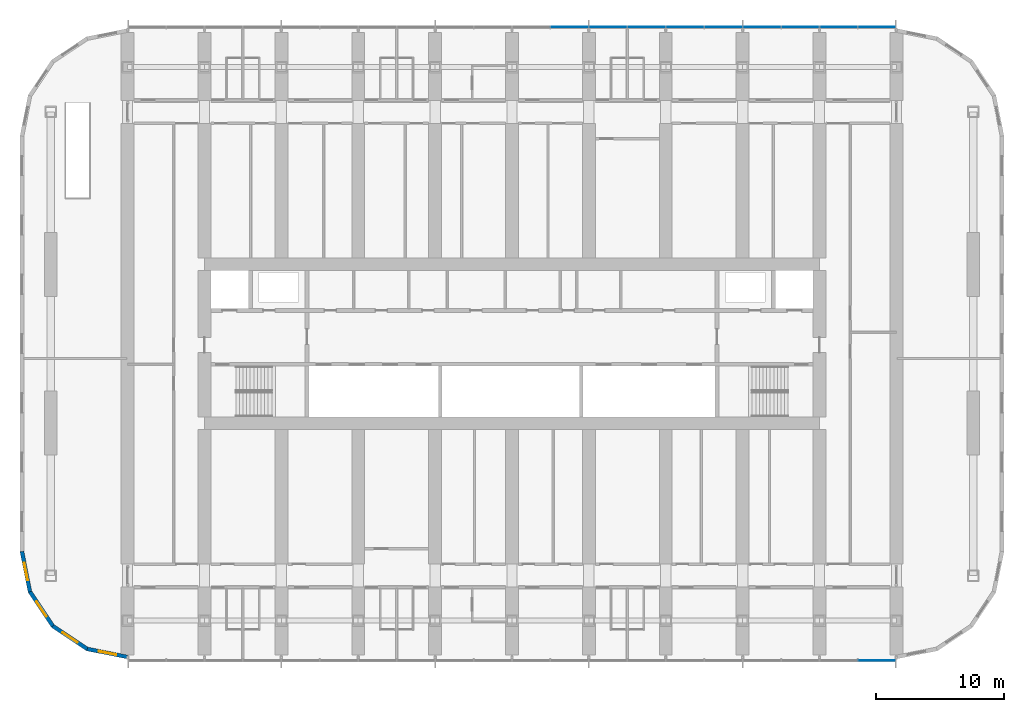
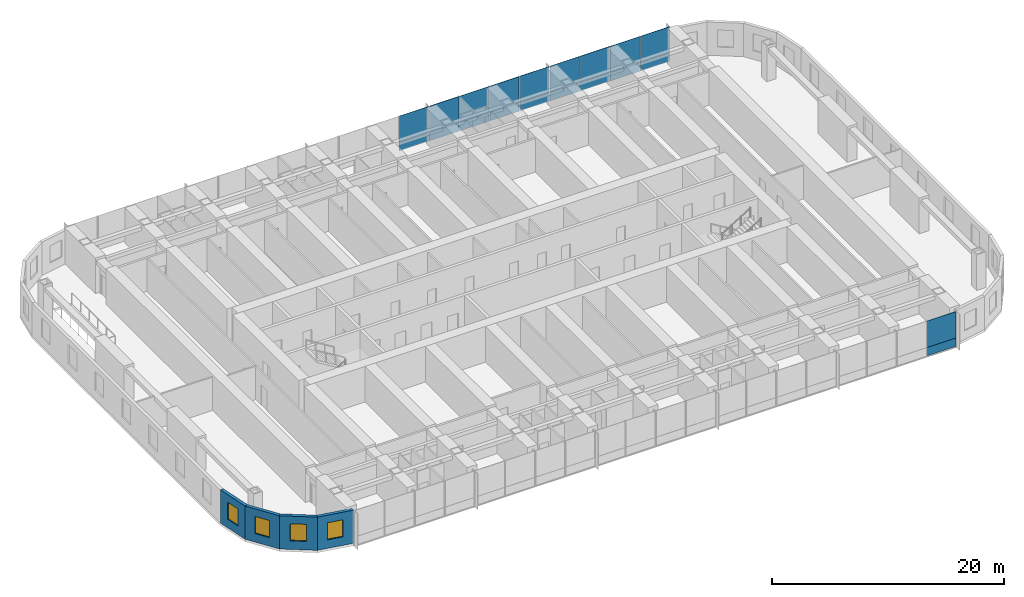
# One storey, part 9 of 22: 20 plates, 4 walls, 4 windows, 4 openings, 2 elements without a shape of their own.
"""IFC4 building model written with IfcOpenShell, lengths in metres."""

from ifc_helpers import new_model, si_unit, direction, frame, frame_2d, origin, origin_2d, place, context, subcontext, project, spatial, polyline, rectangle, outline, extrude, material, layer, layer_set, type_object, element, fill, aggregate, save


model = new_model("IFC4")

# Units and contexts
model_context = context("Model", 3, precision=1e-05, world=origin(), true_north=direction((0.0, 1.0)))
body_context = subcontext(model_context, "Body", "Model", "MODEL_VIEW")
ifc_project = project(units=[si_unit("LENGTHUNIT", "METRE"), si_unit("AREAUNIT", "SQUARE_METRE"), si_unit("VOLUMEUNIT", "CUBIC_METRE"), si_unit("PLANEANGLEUNIT", "RADIAN"), si_unit("MASSUNIT", "GRAM", prefix="KILO")], contexts=[model_context])

# Site, building, storey
site_placement = place(None, origin())
site = spatial("IfcSite", under=ifc_project, at=site_placement, CompositionType="ELEMENT")
building_placement = place(site_placement, origin())
building = spatial("IfcBuilding", under=site, at=building_placement, Name="Orbita Commons", CompositionType="ELEMENT")
storey_placement = place(building_placement, frame((0.0, 0.0, 57.699951171875)))
storey = spatial("IfcBuildingStorey", under=building, at=storey_placement, Name="L14", CompositionType="ELEMENT", Elevation=57.699951171875)

# Curtain wall, plate
ifc_material_1 = material(Name="Anodised aluminium frame, pale silver", Category="aluminium")
curtain_wall_type = type_object("IfcCurtainWallType", Name="Unitised curtain wall CW-T, vision and spandrel", PredefinedType="NOTDEFINED", material=ifc_material_1)
curtain_wall_1_placement = place(storey_placement, origin())
curtain_wall_1 = element("IfcCurtainWall", 1, at=curtain_wall_1_placement, inside=storey, type_object=curtain_wall_type, Name="Curtain wall south L14", PredefinedType="NOTDEFINED")
ifc_material_2 = material(Name="Anodised aluminium sheet on mineral wool", Category="aluminium")
ifc_layer_1 = layer(ifc_material_2, 0.050048828125)
ifc_layer_set_1 = layer_set([ifc_layer_1], Name="Anodised aluminium sheet on mineral wool")
plate_type_1 = type_object("IfcPlateType", Name="Spandrel panel, pale aluminium over insulation 50", PredefinedType="CURTAIN_PANEL", material=ifc_layer_set_1)
plate_1_placement = place(storey_placement, frame((70.47998046875, 7.2900390625, -0.14990234375), z_axis=(0.0, 0.0, 1.0), x_axis=(1.0, 0.0, 0.0)))
plate_1 = element("IfcPlate", 2, at=plate_1_placement, type_object=plate_type_1, Name="Panel 20.1 CW-L14-S", PredefinedType="CURTAIN_PANEL", context=body_context, shape_type="SweptSolid", body=[
    extrude(rectangle(XDim=2.8798828125, YDim=0.050048828125, at=origin_2d()), origin(), (0.0, 0.0, 1.0), 0.875),
])

# Curtain wall, plates
curtain_wall_2_placement = place(storey_placement, origin())
curtain_wall_2 = element("IfcCurtainWall", 3, at=curtain_wall_2_placement, inside=storey, type_object=curtain_wall_type, Name="Curtain wall north L14", PredefinedType="NOTDEFINED")
plate_2_placement = place(storey_placement, frame((70.47998046875, 56.7099609375, -0.14990234375), z_axis=(0.0, 0.0, 1.0), x_axis=(-1.0, 0.0, 0.0)))
plate_2 = element("IfcPlate", 4, at=plate_2_placement, type_object=plate_type_1, Name="Panel 1.1 CW-L14-N", PredefinedType="CURTAIN_PANEL", context=body_context, shape_type="SweptSolid", body=[
    extrude(rectangle(XDim=2.8798828125, YDim=0.050048828125, at=origin_2d()), origin(), (0.0, 0.0, 1.0), 0.875),
])
plate_3_placement = place(storey_placement, frame((67.5, 56.7099609375, -0.14990234375), z_axis=(0.0, 0.0, 1.0), x_axis=(-1.0, 0.0, 0.0)))
plate_3 = element("IfcPlate", 5, at=plate_3_placement, type_object=plate_type_1, Name="Panel 2.1 CW-L14-N", PredefinedType="CURTAIN_PANEL", context=body_context, shape_type="SweptSolid", body=[
    extrude(rectangle(XDim=2.919921875, YDim=0.050048828125, at=origin_2d()), origin(), (0.0, 0.0, 1.0), 0.875),
])
plate_4_placement = place(storey_placement, frame((64.5, 56.7099609375, -0.14990234375), z_axis=(0.0, 0.0, 1.0), x_axis=(-1.0, 0.0, 0.0)))
plate_4 = element("IfcPlate", 6, at=plate_4_placement, type_object=plate_type_1, Name="Panel 3.1 CW-L14-N", PredefinedType="CURTAIN_PANEL", context=body_context, shape_type="SweptSolid", body=[
    extrude(rectangle(XDim=2.919921875, YDim=0.050048828125, at=origin_2d()), origin(), (0.0, 0.0, 1.0), 0.875),
])
plate_5_placement = place(storey_placement, frame((61.5, 56.7099609375, -0.14990234375), z_axis=(0.0, 0.0, 1.0), x_axis=(-1.0, 0.0, 0.0)))
plate_5 = element("IfcPlate", 7, at=plate_5_placement, type_object=plate_type_1, Name="Panel 4.1 CW-L14-N", PredefinedType="CURTAIN_PANEL", context=body_context, shape_type="SweptSolid", body=[
    extrude(rectangle(XDim=2.919921875, YDim=0.050048828125, at=origin_2d()), origin(), (0.0, 0.0, 1.0), 0.875),
])
plate_6_placement = place(storey_placement, frame((58.5, 56.7099609375, -0.14990234375), z_axis=(0.0, 0.0, 1.0), x_axis=(-1.0, 0.0, 0.0)))
plate_6 = element("IfcPlate", 8, at=plate_6_placement, type_object=plate_type_1, Name="Panel 5.1 CW-L14-N", PredefinedType="CURTAIN_PANEL", context=body_context, shape_type="SweptSolid", body=[
    extrude(rectangle(XDim=2.919921875, YDim=0.050048828125, at=origin_2d()), origin(), (0.0, 0.0, 1.0), 0.875),
])
plate_7_placement = place(storey_placement, frame((55.5, 56.7099609375, -0.14990234375), z_axis=(0.0, 0.0, 1.0), x_axis=(-1.0, 0.0, 0.0)))
plate_7 = element("IfcPlate", 9, at=plate_7_placement, type_object=plate_type_1, Name="Panel 6.1 CW-L14-N", PredefinedType="CURTAIN_PANEL", context=body_context, shape_type="SweptSolid", body=[
    extrude(rectangle(XDim=2.919921875, YDim=0.050048828125, at=origin_2d()), origin(), (0.0, 0.0, 1.0), 0.875),
])
plate_8_placement = place(storey_placement, frame((52.5, 56.7099609375, -0.14990234375), z_axis=(0.0, 0.0, 1.0), x_axis=(-1.0, 0.0, 0.0)))
plate_8 = element("IfcPlate", 10, at=plate_8_placement, type_object=plate_type_1, Name="Panel 7.1 CW-L14-N", PredefinedType="CURTAIN_PANEL", context=body_context, shape_type="SweptSolid", body=[
    extrude(rectangle(XDim=2.919921875, YDim=0.050048828125, at=origin_2d()), origin(), (0.0, 0.0, 1.0), 0.875),
])
plate_9_placement = place(storey_placement, frame((49.5, 56.7099609375, -0.14990234375), z_axis=(0.0, 0.0, 1.0), x_axis=(-1.0, 0.0, 0.0)))
plate_9 = element("IfcPlate", 11, at=plate_9_placement, type_object=plate_type_1, Name="Panel 8.1 CW-L14-N", PredefinedType="CURTAIN_PANEL", context=body_context, shape_type="SweptSolid", body=[
    extrude(rectangle(XDim=2.919921875, YDim=0.050048828125, at=origin_2d()), origin(), (0.0, 0.0, 1.0), 0.875),
])
plate_10_placement = place(storey_placement, frame((46.5, 56.7099609375, -0.14990234375), z_axis=(0.0, 0.0, 1.0), x_axis=(-1.0, 0.0, 0.0)))
plate_10 = element("IfcPlate", 12, at=plate_10_placement, type_object=plate_type_1, Name="Panel 9.1 CW-L14-N", PredefinedType="CURTAIN_PANEL", context=body_context, shape_type="SweptSolid", body=[
    extrude(rectangle(XDim=2.919921875, YDim=0.050048828125, at=origin_2d()), origin(), (0.0, 0.0, 1.0), 0.875),
])

# Plate
ifc_material_3 = material(Name="Clear double glazing", Category="glass")
ifc_layer_2 = layer(ifc_material_3, 0.031982421875)
ifc_layer_set_2 = layer_set([ifc_layer_2], Name="Clear double glazing")
plate_type_2 = type_object("IfcPlateType", Name="Vision panel, clear double glazing 32", PredefinedType="CURTAIN_PANEL", material=ifc_layer_set_2)
plate_11_placement = place(storey_placement, frame((70.47998046875, 7.2900390625, 0.72509765625), z_axis=(0.0, 0.0, 1.0), x_axis=(1.0, 0.0, 0.0)))
plate_11 = element("IfcPlate", 13, at=plate_11_placement, type_object=plate_type_2, Name="Panel 20.2 CW-L14-S", PredefinedType="CURTAIN_PANEL", context=body_context, shape_type="SweptSolid", body=[
    extrude(rectangle(XDim=2.8798828125, YDim=0.031982421875, at=origin_2d()), origin(), (0.0, 0.0, 1.0), 2.77490234375),
])

aggregate(curtain_wall_1, [plate_1, plate_11])

plate_12_placement = place(storey_placement, frame((70.47998046875, 56.7099609375, 0.72509765625), z_axis=(0.0, 0.0, 1.0), x_axis=(-1.0, 0.0, 0.0)))
plate_12 = element("IfcPlate", 14, at=plate_12_placement, type_object=plate_type_2, Name="Panel 1.2 CW-L14-N", PredefinedType="CURTAIN_PANEL", context=body_context, shape_type="SweptSolid", body=[
    extrude(rectangle(XDim=2.8798828125, YDim=0.031982421875, at=origin_2d()), origin(), (0.0, 0.0, 1.0), 2.77490234375),
])

plate_13_placement = place(storey_placement, frame((67.5, 56.7099609375, 0.72509765625), z_axis=(0.0, 0.0, 1.0), x_axis=(-1.0, 0.0, 0.0)))
plate_13 = element("IfcPlate", 15, at=plate_13_placement, type_object=plate_type_2, Name="Panel 2.2 CW-L14-N", PredefinedType="CURTAIN_PANEL", context=body_context, shape_type="SweptSolid", body=[
    extrude(rectangle(XDim=2.919921875, YDim=0.031982421875, at=origin_2d()), origin(), (0.0, 0.0, 1.0), 2.77490234375),
])

plate_14_placement = place(storey_placement, frame((64.5, 56.7099609375, 0.72509765625), z_axis=(0.0, 0.0, 1.0), x_axis=(-1.0, 0.0, 0.0)))
plate_14 = element("IfcPlate", 16, at=plate_14_placement, type_object=plate_type_2, Name="Panel 3.2 CW-L14-N", PredefinedType="CURTAIN_PANEL", context=body_context, shape_type="SweptSolid", body=[
    extrude(rectangle(XDim=2.919921875, YDim=0.031982421875, at=origin_2d()), origin(), (0.0, 0.0, 1.0), 2.77490234375),
])

plate_15_placement = place(storey_placement, frame((61.5, 56.7099609375, 0.72509765625), z_axis=(0.0, 0.0, 1.0), x_axis=(-1.0, 0.0, 0.0)))
plate_15 = element("IfcPlate", 17, at=plate_15_placement, type_object=plate_type_2, Name="Panel 4.2 CW-L14-N", PredefinedType="CURTAIN_PANEL", context=body_context, shape_type="SweptSolid", body=[
    extrude(rectangle(XDim=2.919921875, YDim=0.031982421875, at=origin_2d()), origin(), (0.0, 0.0, 1.0), 2.77490234375),
])

plate_16_placement = place(storey_placement, frame((58.5, 56.7099609375, 0.72509765625), z_axis=(0.0, 0.0, 1.0), x_axis=(-1.0, 0.0, 0.0)))
plate_16 = element("IfcPlate", 18, at=plate_16_placement, type_object=plate_type_2, Name="Panel 5.2 CW-L14-N", PredefinedType="CURTAIN_PANEL", context=body_context, shape_type="SweptSolid", body=[
    extrude(rectangle(XDim=2.919921875, YDim=0.031982421875, at=origin_2d()), origin(), (0.0, 0.0, 1.0), 2.77490234375),
])

plate_17_placement = place(storey_placement, frame((55.5, 56.7099609375, 0.72509765625), z_axis=(0.0, 0.0, 1.0), x_axis=(-1.0, 0.0, 0.0)))
plate_17 = element("IfcPlate", 19, at=plate_17_placement, type_object=plate_type_2, Name="Panel 6.2 CW-L14-N", PredefinedType="CURTAIN_PANEL", context=body_context, shape_type="SweptSolid", body=[
    extrude(rectangle(XDim=2.919921875, YDim=0.031982421875, at=origin_2d()), origin(), (0.0, 0.0, 1.0), 2.77490234375),
])

plate_18_placement = place(storey_placement, frame((52.5, 56.7099609375, 0.72509765625), z_axis=(0.0, 0.0, 1.0), x_axis=(-1.0, 0.0, 0.0)))
plate_18 = element("IfcPlate", 20, at=plate_18_placement, type_object=plate_type_2, Name="Panel 7.2 CW-L14-N", PredefinedType="CURTAIN_PANEL", context=body_context, shape_type="SweptSolid", body=[
    extrude(rectangle(XDim=2.919921875, YDim=0.031982421875, at=origin_2d()), origin(), (0.0, 0.0, 1.0), 2.77490234375),
])

plate_19_placement = place(storey_placement, frame((49.5, 56.7099609375, 0.72509765625), z_axis=(0.0, 0.0, 1.0), x_axis=(-1.0, 0.0, 0.0)))
plate_19 = element("IfcPlate", 21, at=plate_19_placement, type_object=plate_type_2, Name="Panel 8.2 CW-L14-N", PredefinedType="CURTAIN_PANEL", context=body_context, shape_type="SweptSolid", body=[
    extrude(rectangle(XDim=2.919921875, YDim=0.031982421875, at=origin_2d()), origin(), (0.0, 0.0, 1.0), 2.77490234375),
])

plate_20_placement = place(storey_placement, frame((46.5, 56.7099609375, 0.72509765625), z_axis=(0.0, 0.0, 1.0), x_axis=(-1.0, 0.0, 0.0)))
plate_20 = element("IfcPlate", 22, at=plate_20_placement, type_object=plate_type_2, Name="Panel 9.2 CW-L14-N", PredefinedType="CURTAIN_PANEL", context=body_context, shape_type="SweptSolid", body=[
    extrude(rectangle(XDim=2.919921875, YDim=0.031982421875, at=origin_2d()), origin(), (0.0, 0.0, 1.0), 2.77490234375),
])

aggregate(curtain_wall_2, [plate_2, plate_12, plate_3, plate_13, plate_4, plate_14, plate_5, plate_15, plate_6, plate_16, plate_7, plate_17, plate_8, plate_18, plate_9, plate_19, plate_10, plate_20])

# Wall, opening, window
ifc_material_4 = material(Name="Precast concrete C40/50, white board-marked finish", Category="concrete")
ifc_layer_3 = layer(ifc_material_4, 0.300048828125)
ifc_layer_set_3 = layer_set([ifc_layer_3], Name="Precast concrete C40/50, white board-marked finish")
wall_type = type_object("IfcWallType", Name="Precast concrete end shield 300", PredefinedType="SOLIDWALL", material=ifc_layer_set_3)
wall_1_placement = place(storey_placement, frame((3.75, 15.800048828125, 0.0), z_axis=(0.0, 0.0, 1.0), x_axis=(0.195065901187, -0.980790137692, 0.0)))
wall_1 = element("IfcWall", 23, at=wall_1_placement, inside=storey, type_object=wall_type, Name="End shield SW chord 1 L14", PredefinedType="SOLIDWALL", context=body_context, shape_type="SweptSolid", body=[
    extrude(outline(polyline([(-0.014892578125, -0.14990234375), (3.248779296875, -0.14990234375), (3.189208984375, 0.14990234375), (0.014892578125, 0.14990234375), (-0.014892578125, -0.14990234375)])), origin(), (0.0, 0.0, 1.0), 3.5),
])
opening_1_placement = place(wall_1_placement, frame((0.909423828125, 0.0, 0.89990234375)))
opening_1 = element("IfcOpeningElement", 24, at=opening_1_placement, cuts=wall_1, Name="Opening W02", PredefinedType="OPENING", context=body_context, shape_type="SweptSolid", body=[
    extrude(rectangle(XDim=1.39990234375, YDim=1.800048828125, at=frame_2d((0.699951171875, 0.89990234375))), frame((0.0, 0.159912109375, 0.0), z_axis=(0.0, -1.0, 0.0), x_axis=(1.0, 0.0, 0.0)), (0.0, 0.0, 1.0), 0.320068359375),
])
ifc_material_5 = material(Name="Aluminium frame, clear double glazing", Category="aluminium")
window_type = type_object("IfcWindowType", Name="Deep-set window 1400x1800", PartitioningType="SINGLE_PANEL", PredefinedType="WINDOW", material=ifc_material_5)
window_1_placement = place(opening_1_placement, origin())
window_1 = element("IfcWindow", 25, at=window_1_placement, inside=storey, type_object=window_type, Name="Window L14-SW0", OverallHeight=1.800048828125, OverallWidth=1.39990234375, PartitioningType="SINGLE_PANEL", PredefinedType="WINDOW", context=body_context, shape_type="SweptSolid", body=[
    extrude(rectangle(XDim=1.39990234375, YDim=1.800048828125, at=frame_2d((0.699951171875, 0.89990234375))), frame((0.0, 0.030029296875, 0.0), z_axis=(0.0, -1.0, 0.0), x_axis=(1.0, 0.0, 0.0)), (0.0, 0.0, 1.0), 0.06005859375),
])
fill(opening_1, window_1)

wall_2_placement = place(storey_placement, frame((4.3779296875, 12.642822265625, 0.0), z_axis=(0.0, 0.0, 1.0), x_axis=(0.555609954424, -0.831443069936, 0.0)))
wall_2 = element("IfcWall", 26, at=wall_2_placement, inside=storey, type_object=wall_type, Name="End shield SW chord 2 L14", PredefinedType="SOLIDWALL", context=body_context, shape_type="SweptSolid", body=[
    extrude(outline(polyline([(-0.02978515625, -0.14990234375), (3.2490234375, -0.14990234375), (3.189453125, 0.14990234375), (0.02978515625, 0.14990234375), (-0.02978515625, -0.14990234375)])), origin(), (0.0, 0.0, 1.0), 3.5),
])
opening_2_placement = place(wall_2_placement, frame((0.909423828125, 0.0, 0.89990234375)))
opening_2 = element("IfcOpeningElement", 27, at=opening_2_placement, cuts=wall_2, Name="Opening W02", PredefinedType="OPENING", context=body_context, shape_type="SweptSolid", body=[
    extrude(rectangle(XDim=1.39990234375, YDim=1.800048828125, at=frame_2d((0.699951171875, 0.89990234375))), frame((0.0, 0.159912109375, 0.0), z_axis=(0.0, -1.0, 0.0), x_axis=(1.0, 0.0, 0.0)), (0.0, 0.0, 1.0), 0.320068359375),
])
window_2_placement = place(opening_2_placement, origin())
window_2 = element("IfcWindow", 28, at=window_2_placement, inside=storey, type_object=window_type, Name="Window L14-SW1", OverallHeight=1.800048828125, OverallWidth=1.39990234375, PartitioningType="SINGLE_PANEL", PredefinedType="WINDOW", context=body_context, shape_type="SweptSolid", body=[
    extrude(rectangle(XDim=1.39990234375, YDim=1.800048828125, at=frame_2d((0.699951171875, 0.89990234375))), frame((0.0, 0.030029296875, 0.0), z_axis=(0.0, -1.0, 0.0), x_axis=(1.0, 0.0, 0.0)), (0.0, 0.0, 1.0), 0.06005859375),
])
fill(opening_2, window_2)

wall_3_placement = place(storey_placement, frame((6.16650390625, 9.96630859375, 0.0), z_axis=(0.0, 0.0, 1.0), x_axis=(0.831478105043, -0.555557522525, 0.0)))
wall_3 = element("IfcWall", 29, at=wall_3_placement, inside=storey, type_object=wall_type, Name="End shield SW chord 3 L14", PredefinedType="SOLIDWALL", context=body_context, shape_type="SweptSolid", body=[
    extrude(outline(polyline([(-0.02978515625, -0.14990234375), (3.248779296875, -0.14990234375), (3.189208984375, 0.14990234375), (0.02978515625, 0.14990234375), (-0.02978515625, -0.14990234375)])), origin(), (0.0, 0.0, 1.0), 3.5),
])
opening_3_placement = place(wall_3_placement, frame((0.909423828125, 0.0, 0.89990234375)))
opening_3 = element("IfcOpeningElement", 30, at=opening_3_placement, cuts=wall_3, Name="Opening W02", PredefinedType="OPENING", context=body_context, shape_type="SweptSolid", body=[
    extrude(rectangle(XDim=1.39990234375, YDim=1.800048828125, at=frame_2d((0.699951171875, 0.89990234375))), frame((0.0, 0.159912109375, 0.0), z_axis=(0.0, -1.0, 0.0), x_axis=(1.0, 0.0, 0.0)), (0.0, 0.0, 1.0), 0.320068359375),
])
window_3_placement = place(opening_3_placement, origin())
window_3 = element("IfcWindow", 31, at=window_3_placement, inside=storey, type_object=window_type, Name="Window L14-SW2", OverallHeight=1.800048828125, OverallWidth=1.39990234375, PartitioningType="SINGLE_PANEL", PredefinedType="WINDOW", context=body_context, shape_type="SweptSolid", body=[
    extrude(rectangle(XDim=1.39990234375, YDim=1.800048828125, at=frame_2d((0.699951171875, 0.89990234375))), frame((0.0, 0.030029296875, 0.0), z_axis=(0.0, -1.0, 0.0), x_axis=(1.0, 0.0, 0.0)), (0.0, 0.0, 1.0), 0.06005859375),
])
fill(opening_3, window_3)

wall_4_placement = place(storey_placement, frame((8.843017578125, 8.177978515625, 0.0), z_axis=(0.0, 0.0, 1.0), x_axis=(0.980787251524, -0.195080412259, 0.0)))
wall_4 = element("IfcWall", 32, at=wall_4_placement, inside=storey, type_object=wall_type, Name="End shield SW chord 4 L14", PredefinedType="SOLIDWALL", context=body_context, shape_type="SweptSolid", body=[
    extrude(outline(polyline([(-0.02978515625, -0.14990234375), (3.24853515625, -0.14990234375), (3.18896484375, 0.14990234375), (0.02978515625, 0.14990234375), (-0.02978515625, -0.14990234375)])), origin(), (0.0, 0.0, 1.0), 3.5),
])
opening_4_placement = place(wall_4_placement, frame((0.909423828125, 0.0, 0.89990234375)))
opening_4 = element("IfcOpeningElement", 33, at=opening_4_placement, cuts=wall_4, Name="Opening W02", PredefinedType="OPENING", context=body_context, shape_type="SweptSolid", body=[
    extrude(rectangle(XDim=1.39990234375, YDim=1.800048828125, at=frame_2d((0.699951171875, 0.89990234375))), frame((0.0, 0.159912109375, 0.0), z_axis=(0.0, -1.0, 0.0), x_axis=(1.0, 0.0, 0.0)), (0.0, 0.0, 1.0), 0.320068359375),
])
window_4_placement = place(opening_4_placement, origin())
window_4 = element("IfcWindow", 34, at=window_4_placement, inside=storey, type_object=window_type, Name="Window L14-SW3", OverallHeight=1.800048828125, OverallWidth=1.39990234375, PartitioningType="SINGLE_PANEL", PredefinedType="WINDOW", context=body_context, shape_type="SweptSolid", body=[
    extrude(rectangle(XDim=1.39990234375, YDim=1.800048828125, at=frame_2d((0.699951171875, 0.89990234375))), frame((0.0, 0.030029296875, 0.0), z_axis=(0.0, -1.0, 0.0), x_axis=(1.0, 0.0, 0.0)), (0.0, 0.0, 1.0), 0.06005859375),
])
fill(opening_4, window_4)

save(model, "model.ifc")
